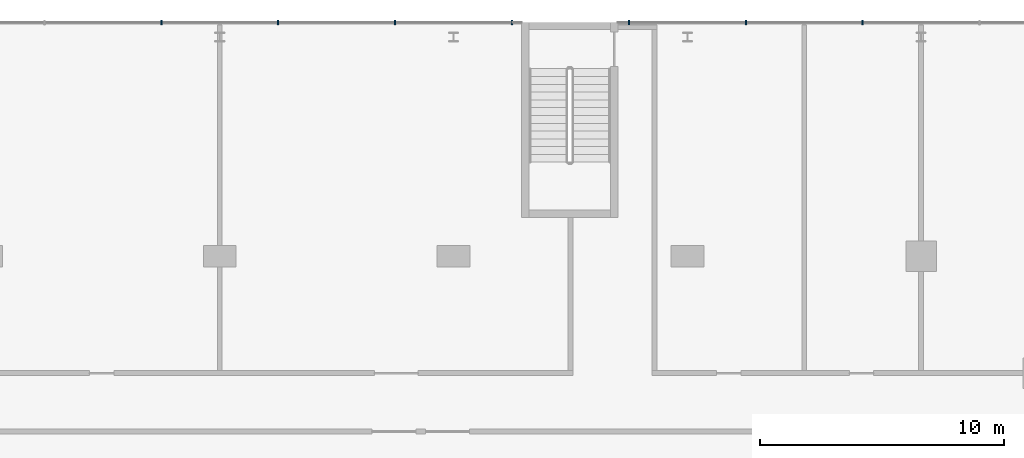
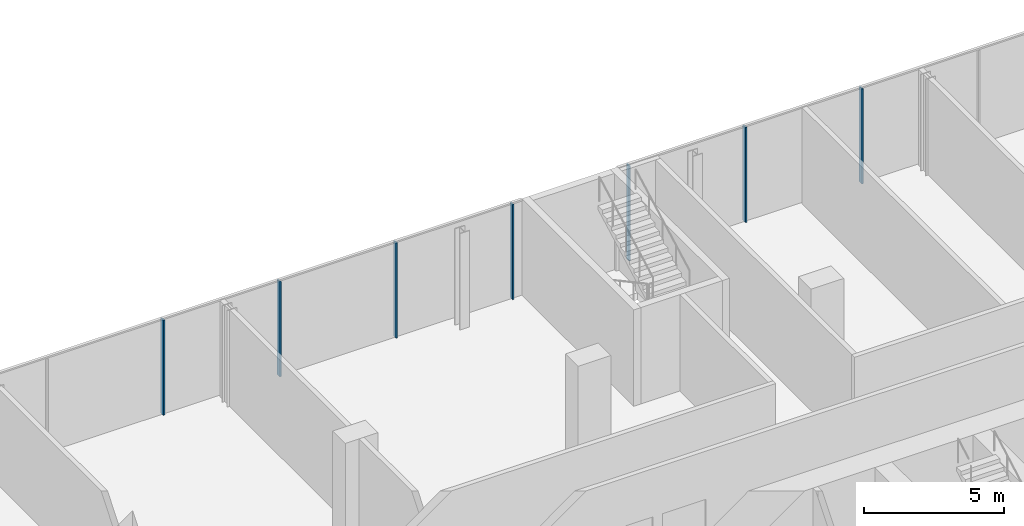
# One storey, part 19 of 38: 7 members, 1 element without a shape of its own.
"""IFC4 building model written with IfcOpenShell, lengths in metres."""

from ifc_helpers import new_model, si_unit, direction, frame, origin, origin_2d, place, context, subcontext, project, spatial, rectangle, extrude, material, layer, layer_set, material_profile, profile_set, type_object, element, aggregate, save


model = new_model("IFC4")

# Units and contexts
model_context = context("Model", 3, precision=1e-05, world=origin(), true_north=direction((0.0, 1.0)))
body_context = subcontext(model_context, "Body", "Model", "MODEL_VIEW")
ifc_project = project(units=[si_unit("LENGTHUNIT", "METRE"), si_unit("AREAUNIT", "SQUARE_METRE"), si_unit("VOLUMEUNIT", "CUBIC_METRE"), si_unit("PLANEANGLEUNIT", "RADIAN"), si_unit("MASSUNIT", "GRAM", prefix="KILO")], contexts=[model_context])

# Site, building, storey
site_placement = place(None, origin())
site = spatial("IfcSite", under=ifc_project, at=site_placement, CompositionType="ELEMENT")
building_placement = place(site_placement, origin())
building = spatial("IfcBuilding", under=site, at=building_placement, Name="Madar Terraces", CompositionType="ELEMENT")
storey_placement = place(building_placement, frame((0.0, 0.0, 15.0)))
storey = spatial("IfcBuildingStorey", under=building, at=storey_placement, Name="L03", CompositionType="ELEMENT", Elevation=15.0)

# Curtain wall, members
ifc_material_1 = material(Name="Glass, clear low-iron, with black aluminium frame", Category="aluminium")
ifc_layer = layer(ifc_material_1, 0.199951171875)
ifc_layer_set = layer_set([ifc_layer], Name="Facade curtain wall, shopfront glazing")
curtain_wall_type = type_object("IfcCurtainWallType", Name="Facade curtain wall, shopfront glazing", PredefinedType="NOTDEFINED", material=ifc_layer_set)
curtain_wall_placement = place(storey_placement, origin())
curtain_wall = element("IfcCurtainWall", 1, at=curtain_wall_placement, inside=storey, type_object=curtain_wall_type, Name="Outer skin curtain wall north bay 1", PredefinedType="NOTDEFINED")
ifc_material_2 = material(Name="Aluminium, black anodised", Category="aluminium")
ifc_material_profile = material_profile(ifc_material_2, rectangle(XDim=0.199951171875, YDim=0.06005859375, at=origin_2d()), Name="Facade mullion 60x200")
ifc_profile_set = profile_set([ifc_material_profile], Name="Aluminium, black anodised")
member_type = type_object("IfcMemberType", Name="Facade mullion 60x200", PredefinedType="MULLION", material=ifc_profile_set)
member_1_placement = place(storey_placement, frame((50.39990234375, 57.60009765625, 0.0), z_axis=(0.0, 0.0, 1.0), x_axis=(0.0, -1.0, 0.0)))
member_1 = element("IfcMember", 2, at=member_1_placement, type_object=member_type, Name="Mullion 3", PredefinedType="MULLION", context=body_context, shape_type="SweptSolid", body=[
    extrude(rectangle(XDim=0.199951171875, YDim=0.06005859375, at=origin_2d()), origin(), (0.0, 0.0, 1.0), 4.139892578125),
])
member_2_placement = place(storey_placement, frame((45.60009765625, 57.60009765625, 0.0), z_axis=(0.0, 0.0, 1.0), x_axis=(0.0, -1.0, 0.0)))
member_2 = element("IfcMember", 3, at=member_2_placement, type_object=member_type, Name="Mullion 4", PredefinedType="MULLION", context=body_context, shape_type="SweptSolid", body=[
    extrude(rectangle(XDim=0.199951171875, YDim=0.06005859375, at=origin_2d()), origin(), (0.0, 0.0, 1.0), 4.139892578125),
])
member_3_placement = place(storey_placement, frame((40.800048828125, 57.60009765625, 0.0), z_axis=(0.0, 0.0, 1.0), x_axis=(0.0, -1.0, 0.0)))
member_3 = element("IfcMember", 4, at=member_3_placement, type_object=member_type, Name="Mullion 5", PredefinedType="MULLION", context=body_context, shape_type="SweptSolid", body=[
    extrude(rectangle(XDim=0.199951171875, YDim=0.06005859375, at=origin_2d()), origin(), (0.0, 0.0, 1.0), 4.139892578125),
])
member_4_placement = place(storey_placement, frame((36.0, 57.60009765625, 0.0), z_axis=(0.0, 0.0, 1.0), x_axis=(0.0, -1.0, 0.0)))
member_4 = element("IfcMember", 5, at=member_4_placement, type_object=member_type, Name="Mullion 6", PredefinedType="MULLION", context=body_context, shape_type="SweptSolid", body=[
    extrude(rectangle(XDim=0.199951171875, YDim=0.06005859375, at=origin_2d()), origin(), (0.0, 0.0, 1.0), 4.139892578125),
])
member_5_placement = place(storey_placement, frame((31.199951171875, 57.60009765625, 0.0), z_axis=(0.0, 0.0, 1.0), x_axis=(0.0, -1.0, 0.0)))
member_5 = element("IfcMember", 6, at=member_5_placement, type_object=member_type, Name="Mullion 7", PredefinedType="MULLION", context=body_context, shape_type="SweptSolid", body=[
    extrude(rectangle(XDim=0.199951171875, YDim=0.06005859375, at=origin_2d()), origin(), (0.0, 0.0, 1.0), 4.139892578125),
])
member_6_placement = place(storey_placement, frame((26.39990234375, 57.60009765625, 0.0), z_axis=(0.0, 0.0, 1.0), x_axis=(0.0, -1.0, 0.0)))
member_6 = element("IfcMember", 7, at=member_6_placement, type_object=member_type, Name="Mullion 8", PredefinedType="MULLION", context=body_context, shape_type="SweptSolid", body=[
    extrude(rectangle(XDim=0.199951171875, YDim=0.06005859375, at=origin_2d()), origin(), (0.0, 0.0, 1.0), 4.139892578125),
])
member_7_placement = place(storey_placement, frame((21.60009765625, 57.60009765625, 0.0), z_axis=(0.0, 0.0, 1.0), x_axis=(0.0, -1.0, 0.0)))
member_7 = element("IfcMember", 8, at=member_7_placement, type_object=member_type, Name="Mullion 9", PredefinedType="MULLION", context=body_context, shape_type="SweptSolid", body=[
    extrude(rectangle(XDim=0.199951171875, YDim=0.06005859375, at=origin_2d()), origin(), (0.0, 0.0, 1.0), 4.139892578125),
])
aggregate(curtain_wall, [member_1, member_2, member_3, member_4, member_5, member_6, member_7])

save(model, "model.ifc")
